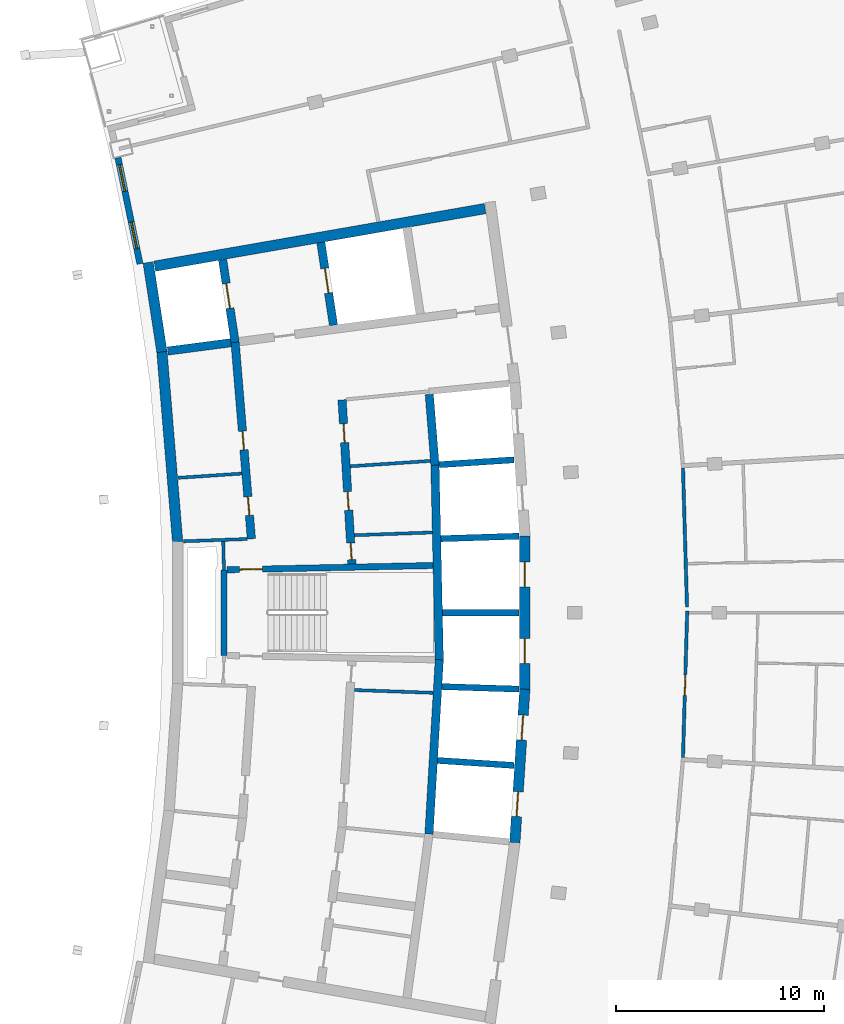
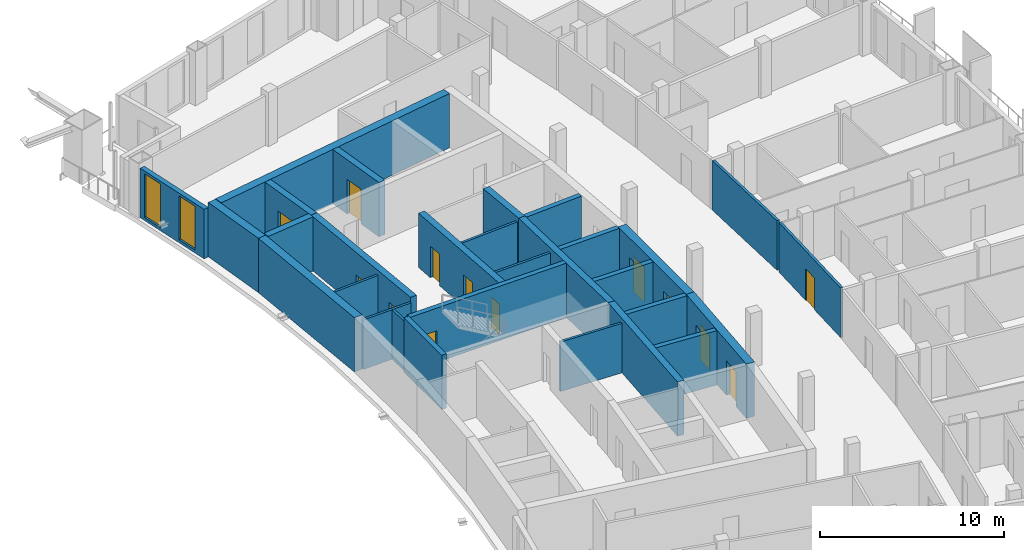
# One storey, part 10 of 20: 29 walls, 13 doors, 2 windows, 15 openings.
"""IFC4 building model written with IfcOpenShell, lengths in metres."""

from ifc_helpers import new_model, si_unit, direction, frame, frame_2d, origin, place, context, subcontext, project, spatial, rectangle, extrude, material, layer, layer_set, type_object, element, fill, save


model = new_model("IFC4")

# Units and contexts
model_context = context("Model", 3, precision=1e-05, world=origin(), true_north=direction((0.0, 1.0)))
body_context = subcontext(model_context, "Body", "Model", "MODEL_VIEW")
ifc_project = project(units=[si_unit("LENGTHUNIT", "METRE"), si_unit("AREAUNIT", "SQUARE_METRE"), si_unit("VOLUMEUNIT", "CUBIC_METRE"), si_unit("PLANEANGLEUNIT", "RADIAN"), si_unit("MASSUNIT", "GRAM", prefix="KILO")], contexts=[model_context])

# Site, building, storey
site_placement = place(None, origin())
site = spatial("IfcSite", under=ifc_project, at=site_placement, CompositionType="ELEMENT")
building_placement = place(site_placement, origin())
building = spatial("IfcBuilding", under=site, at=building_placement, Name="Alderwake Tower", CompositionType="ELEMENT")
storey_placement = place(building_placement, frame((0.0, 0.0, 263.60009765625)))
storey = spatial("IfcBuildingStorey", under=building, at=storey_placement, Name="L65", CompositionType="ELEMENT", Elevation=263.60009765625)

# Walls
ifc_material_1 = material(Name="Gypsum shaft wall system, rated")
ifc_layer_1 = layer(ifc_material_1, 0.14990234375)
ifc_layer_set_1 = layer_set([ifc_layer_1], Name="Core riser partition 150")
wall_type_1 = type_object("IfcWallType", Name="Core riser partition 150", PredefinedType="PARTITIONING", material=ifc_layer_set_1)
wall_1_placement = place(storey_placement, frame((25.1904296875, 57.276611328125, 0.0), z_axis=(0.0, 0.0, 1.0), x_axis=(0.999373547283, -0.03539086028, 0.0)))
element("IfcWall", 1, at=wall_1_placement, inside=storey, type_object=wall_type_1, Name="CW/L65/PR-37_+86", PredefinedType="PARTITIONING", context=body_context, shape_type="SweptSolid", body=[
    extrude(rectangle(XDim=3.794189453125, YDim=0.14990234375, at=frame_2d((1.89697265625, 0.0))), origin(), (0.0, 0.0, 1.0), 3.27978515625),
])
wall_2_placement = place(storey_placement, frame((25.191162109375, 64.723388671875, 0.0), z_axis=(0.0, 0.0, 1.0), x_axis=(0.999373256208, 0.035399078746, 0.0)))
element("IfcWall", 2, at=wall_2_placement, inside=storey, type_object=wall_type_1, Name="CW/L65/PR+37_+86", PredefinedType="PARTITIONING", context=body_context, shape_type="SweptSolid", body=[
    extrude(rectangle(XDim=3.751953125, YDim=0.14990234375, at=frame_2d((1.8759765625, 0.0))), origin(), (0.0, 0.0, 1.0), 3.27978515625),
])
ifc_material_2 = material(Name="Gypsum shaft wall system, rated")
ifc_layer_2 = layer(ifc_material_2, 0.14990234375)
ifc_layer_set_2 = layer_set([ifc_layer_2], Name="Core room partition 150")
wall_type_2 = type_object("IfcWallType", Name="Core room partition 150", PredefinedType="PARTITIONING", material=ifc_layer_set_2)
wall_3_placement = place(storey_placement, frame((18.918701171875, 63.05517578125, 0.0), z_axis=(0.0, 0.0, 1.0), x_axis=(-0.027791791559, 0.99961373356, 0.0)))
element("IfcWall", 3, at=wall_3_placement, inside=storey, type_object=wall_type_2, Name="CW/L65/PA+24_+22", PredefinedType="PARTITIONING", context=body_context, shape_type="SweptSolid", body=[
    extrude(rectangle(XDim=1.370361328125, YDim=0.14990234375, at=frame_2d((0.68505859375, 0.0))), origin(), (0.0, 0.0, 1.0), 3.27978515625),
])
wall_4_placement = place(storey_placement, frame((16.969482421875, 64.4326171875, 0.0), z_axis=(0.0, 0.0, 1.0), x_axis=(0.999376258731, 0.035314210814, 0.0)))
element("IfcWall", 4, at=wall_4_placement, inside=storey, type_object=wall_type_2, Name="CW/L65/PR+37_+0", PredefinedType="PARTITIONING", context=body_context, shape_type="SweptSolid", body=[
    extrude(rectangle(XDim=3.069580078125, YDim=0.14990234375, at=frame_2d((1.53466796875, 0.0))), origin(), (0.0, 0.0, 1.0), 3.27978515625),
])
wall_5_placement = place(storey_placement, frame((16.716552734375, 67.48388671875, 0.0), z_axis=(0.0, 0.0, 1.0), x_axis=(0.997761137574, 0.066878339895, 0.0)))
element("IfcWall", 5, at=wall_5_placement, inside=storey, type_object=wall_type_2, Name="CW/L65/PR+70_+0", PredefinedType="PARTITIONING", context=body_context, shape_type="SweptSolid", body=[
    extrude(rectangle(XDim=3.06640625, YDim=0.14990234375, at=frame_2d((1.533203125, 0.0))), origin(), (0.0, 0.0, 1.0), 3.27978515625),
])
wall_6_placement = place(storey_placement, frame((24.992431640625, 68.038818359375, 0.0), z_axis=(0.0, 0.0, 1.0), x_axis=(0.997760236964, 0.066891774789, 0.0)))
element("IfcWall", 6, at=wall_6_placement, inside=storey, type_object=wall_type_2, Name="CW/L65/PR+70_+86", PredefinedType="PARTITIONING", context=body_context, shape_type="SweptSolid", body=[
    extrude(rectangle(XDim=3.86865234375, YDim=0.14990234375, at=frame_2d((1.934326171875, 0.0))), origin(), (0.0, 0.0, 1.0), 3.27978515625),
])
ifc_material_3 = material(Name="Concrete C70/85", Category="concrete")
ifc_layer_3 = layer(ifc_material_3, 0.5)
ifc_layer_set_3 = layer_set([ifc_layer_3], Name="Core wall outer 500 C70-85")
wall_type_3 = type_object("IfcWallType", Name="Core wall outer 500 C70-85", PredefinedType="SHEAR", material=ifc_layer_set_3)
wall_7_placement = place(storey_placement, frame((16.690185546875, 64.41162109375, 0.0), z_axis=(0.0, 0.0, 1.0), x_axis=(-0.082611702064, 0.996581811334, 0.0)))
element("IfcWall", 7, at=wall_7_placement, inside=storey, type_object=wall_type_3, Name="Core wall CW.026", PredefinedType="SHEAR", context=body_context, shape_type="SweptSolid", body=[
    extrude(rectangle(XDim=9.176025390625, YDim=0.5, at=frame_2d((4.587890625, 0.0))), origin(), (0.0, 0.0, 1.0), 3.599853515625),
])
wall_8_placement = place(storey_placement, frame((15.934326171875, 73.5380859375, 0.0), z_axis=(0.0, 0.0, 1.0), x_axis=(-0.151947718368, 0.988388532351, 0.0)))
element("IfcWall", 8, at=wall_8_placement, inside=storey, type_object=wall_type_3, Name="Core wall CW.025", PredefinedType="SHEAR", context=body_context, shape_type="SweptSolid", body=[
    extrude(rectangle(XDim=4.357421875, YDim=0.5, at=frame_2d((2.1787109375, 0.0))), origin(), (0.0, 0.0, 1.0), 3.599853515625),
])

# Wall, openings, doors
wall_9_placement = place(storey_placement, frame((32.91015625, 49.942138671875, 0.0), z_axis=(0.0, 0.0, 1.0), x_axis=(0.064980500916, 0.997886533881, 0.0)))
wall_9 = element("IfcWall", 9, at=wall_9_placement, inside=storey, type_object=wall_type_3, Name="Core wall CW.021", PredefinedType="SHEAR", context=body_context, shape_type="SweptSolid", body=[
    extrude(rectangle(XDim=7.39404296875, YDim=0.5, at=frame_2d((3.697021484375, 0.0))), origin(), (0.0, 0.0, 1.0), 3.599853515625),
])
opening_1_placement = place(wall_9_placement, frame((1.253173828125, 0.0, 0.0)))
opening_1 = element("IfcOpeningElement", 10, at=opening_1_placement, cuts=wall_9, Name="Opening LD-HP1", PredefinedType="OPENING", context=body_context, shape_type="SweptSolid", body=[
    extrude(rectangle(XDim=1.199951171875, YDim=2.300048828125, at=frame_2d((0.60009765625, 1.14990234375))), frame((0.0, 0.260009765625, 0.0), z_axis=(0.0, -1.0, 0.0), x_axis=(1.0, 0.0, 0.0)), (0.0, 0.0, 1.0), 0.52001953125),
])
opening_2_placement = place(wall_9_placement, frame((4.941650390625, 0.0, 0.0)))
opening_2 = element("IfcOpeningElement", 11, at=opening_2_placement, cuts=wall_9, Name="Opening LD-HP2", PredefinedType="OPENING", context=body_context, shape_type="SweptSolid", body=[
    extrude(rectangle(XDim=1.199951171875, YDim=2.300048828125, at=frame_2d((0.60009765625, 1.14990234375))), frame((0.0, 0.260009765625, 0.0), z_axis=(0.0, -1.0, 0.0), x_axis=(1.0, 0.0, 0.0)), (0.0, 0.0, 1.0), 0.52001953125),
])
ifc_material_4 = material(Name="Stainless steel sliding leaf", Category="steel")
door_type_1 = type_object("IfcDoorType", Name="Lift landing door 1200", OperationType="SLIDING_TO_LEFT", PredefinedType="DOOR", material=ifc_material_4)
door_1_placement = place(opening_1_placement, origin())
door_1 = element("IfcDoor", 12, at=door_1_placement, inside=storey, type_object=door_type_1, Name="Lift landing door HP1", OperationType="SLIDING_TO_LEFT", OverallHeight=2.300048828125, OverallWidth=1.199951171875, PredefinedType="DOOR", context=body_context, shape_type="SweptSolid", body=[
    extrude(rectangle(XDim=1.199951171875, YDim=2.300048828125, at=frame_2d((0.60009765625, 1.14990234375))), frame((0.0, 0.02490234375, 0.0), z_axis=(0.0, -1.0, 0.0), x_axis=(1.0, 0.0, 0.0)), (0.0, 0.0, 1.0), 0.050048828125),
])
fill(opening_1, door_1)
door_2_placement = place(opening_2_placement, origin())
door_2 = element("IfcDoor", 13, at=door_2_placement, inside=storey, type_object=door_type_1, Name="Lift landing door HP2", OperationType="SLIDING_TO_LEFT", OverallHeight=2.300048828125, OverallWidth=1.199951171875, PredefinedType="DOOR", context=body_context, shape_type="SweptSolid", body=[
    extrude(rectangle(XDim=1.199951171875, YDim=2.300048828125, at=frame_2d((0.60009765625, 1.14990234375))), frame((0.0, 0.02490234375, 0.0), z_axis=(0.0, -1.0, 0.0), x_axis=(1.0, 0.0, 0.0)), (0.0, 0.0, 1.0), 0.050048828125),
])
fill(opening_2, door_2)

wall_10_placement = place(storey_placement, frame((33.389892578125, 57.30322265625, 0.0), z_axis=(0.0, 0.0, 1.0), x_axis=(0.0, 1.0, 0.0)))
wall_10 = element("IfcWall", 14, at=wall_10_placement, inside=storey, type_object=wall_type_3, Name="Core wall CW.023", PredefinedType="SHEAR", context=body_context, shape_type="SweptSolid", body=[
    extrude(rectangle(XDim=7.3935546875, YDim=0.5, at=frame_2d((3.69677734375, 0.0))), origin(), (0.0, 0.0, 1.0), 3.599853515625),
])
opening_3_placement = place(wall_10_placement, frame((1.25244140625, 0.0, 0.0)))
opening_3 = element("IfcOpeningElement", 15, at=opening_3_placement, cuts=wall_10, Name="Opening LD-HP3", PredefinedType="OPENING", context=body_context, shape_type="SweptSolid", body=[
    extrude(rectangle(XDim=1.199951171875, YDim=2.300048828125, at=frame_2d((0.60009765625, 1.14990234375))), frame((0.0, 0.260009765625, 0.0), z_axis=(0.0, -1.0, 0.0), x_axis=(1.0, 0.0, 0.0)), (0.0, 0.0, 1.0), 0.52001953125),
])
opening_4_placement = place(wall_10_placement, frame((4.94091796875, 0.0, 0.0)))
opening_4 = element("IfcOpeningElement", 16, at=opening_4_placement, cuts=wall_10, Name="Opening LD-HP4", PredefinedType="OPENING", context=body_context, shape_type="SweptSolid", body=[
    extrude(rectangle(XDim=1.199951171875, YDim=2.300048828125, at=frame_2d((0.60009765625, 1.14990234375))), frame((0.0, 0.260009765625, 0.0), z_axis=(0.0, -1.0, 0.0), x_axis=(1.0, 0.0, 0.0)), (0.0, 0.0, 1.0), 0.52001953125),
])
door_3_placement = place(opening_3_placement, origin())
door_3 = element("IfcDoor", 17, at=door_3_placement, inside=storey, type_object=door_type_1, Name="Lift landing door HP3", OperationType="SLIDING_TO_LEFT", OverallHeight=2.300048828125, OverallWidth=1.199951171875, PredefinedType="DOOR", context=body_context, shape_type="SweptSolid", body=[
    extrude(rectangle(XDim=1.199951171875, YDim=2.300048828125, at=frame_2d((0.60009765625, 1.14990234375))), frame((0.0, 0.02490234375, 0.0), z_axis=(0.0, -1.0, 0.0), x_axis=(1.0, 0.0, 0.0)), (0.0, 0.0, 1.0), 0.050048828125),
])
fill(opening_3, door_3)
door_4_placement = place(opening_4_placement, origin())
door_4 = element("IfcDoor", 18, at=door_4_placement, inside=storey, type_object=door_type_1, Name="Lift landing door HP4", OperationType="SLIDING_TO_LEFT", OverallHeight=2.300048828125, OverallWidth=1.199951171875, PredefinedType="DOOR", context=body_context, shape_type="SweptSolid", body=[
    extrude(rectangle(XDim=1.199951171875, YDim=2.300048828125, at=frame_2d((0.60009765625, 1.14990234375))), frame((0.0, 0.02490234375, 0.0), z_axis=(0.0, -1.0, 0.0), x_axis=(1.0, 0.0, 0.0)), (0.0, 0.0, 1.0), 0.050048828125),
])
fill(opening_4, door_4)

# Walls
wall_11_placement = place(storey_placement, frame((15.583251953125, 77.664306640625, 0.0), z_axis=(0.0, 0.0, 1.0), x_axis=(0.985139146221, 0.171758151429, 0.0)))
element("IfcWall", 19, at=wall_11_placement, inside=storey, type_object=wall_type_3, Name="Core wall CW.055", PredefinedType="SHEAR", context=body_context, shape_type="SweptSolid", body=[
    extrude(rectangle(XDim=16.134521484375, YDim=0.5, at=frame_2d((8.0673828125, 0.0))), origin(), (0.0, 0.0, 1.0), 3.599853515625),
])
ifc_material_5 = material(Name="Concrete C70/85", Category="concrete")
ifc_layer_4 = layer(ifc_material_5, 0.300048828125)
ifc_layer_set_4 = layer_set([ifc_layer_4], Name="Core wall shaft 300 C70-85")
wall_type_4 = type_object("IfcWallType", Name="Core wall shaft 300 C70-85", PredefinedType="SHEAR", material=ifc_layer_set_4)
wall_12_placement = place(storey_placement, frame((29.190185546875, 53.8896484375, 0.0), z_axis=(0.0, 0.0, 1.0), x_axis=(0.997885615286, -0.06499460597, 0.0)))
element("IfcWall", 20, at=wall_12_placement, inside=storey, type_object=wall_type_4, Name="Core wall CW.078", PredefinedType="SHEAR", context=body_context, shape_type="SweptSolid", body=[
    extrude(rectangle(XDim=3.688720703125, YDim=0.300048828125, at=frame_2d((1.84423828125, 0.0))), origin(), (0.0, 0.0, 1.0), 3.599853515625),
])
wall_13_placement = place(storey_placement, frame((29.400634765625, 57.441650390625, 0.0), z_axis=(0.0, 0.0, 1.0), x_axis=(0.999471876479, -0.032495663221, 0.0)))
element("IfcWall", 21, at=wall_13_placement, inside=storey, type_object=wall_type_4, Name="Core wall CW.075", PredefinedType="SHEAR", context=body_context, shape_type="SweptSolid", body=[
    extrude(rectangle(XDim=3.71142578125, YDim=0.300048828125, at=frame_2d((1.855712890625, 0.0))), origin(), (0.0, 0.0, 1.0), 3.599853515625),
])
wall_14_placement = place(storey_placement, frame((29.426025390625, 61.0, 0.0), z_axis=(0.0, 0.0, 1.0), x_axis=(1.0, 0.0, 0.0)))
element("IfcWall", 22, at=wall_14_placement, inside=storey, type_object=wall_type_4, Name="Core wall CW.048", PredefinedType="SHEAR", context=body_context, shape_type="SweptSolid", body=[
    extrude(rectangle(XDim=3.68408203125, YDim=0.300048828125, at=frame_2d((1.842041015625, 0.0))), origin(), (0.0, 0.0, 1.0), 3.599853515625),
])
wall_15_placement = place(storey_placement, frame((29.347412109375, 64.556396484375, 0.0), z_axis=(0.0, 0.0, 1.0), x_axis=(0.99946995342, 0.032554757112, 0.0)))
element("IfcWall", 23, at=wall_15_placement, inside=storey, type_object=wall_type_4, Name="Core wall CW.058", PredefinedType="SHEAR", context=body_context, shape_type="SweptSolid", body=[
    extrude(rectangle(XDim=3.7646484375, YDim=0.300048828125, at=frame_2d((1.88232421875, 0.0))), origin(), (0.0, 0.0, 1.0), 3.599853515625),
])
wall_16_placement = place(storey_placement, frame((29.268798828125, 68.115478515625, 0.0), z_axis=(0.0, 0.0, 1.0), x_axis=(0.997885735437, 0.064992761217, 0.0)))
element("IfcWall", 24, at=wall_16_placement, inside=storey, type_object=wall_type_4, Name="Core wall CW.061", PredefinedType="SHEAR", context=body_context, shape_type="SweptSolid", body=[
    extrude(rectangle(XDim=3.60986328125, YDim=0.300048828125, at=frame_2d((1.804931640625, 0.0))), origin(), (0.0, 0.0, 1.0), 3.599853515625),
])

# Wall, openings, doors
ifc_material_6 = material(Name="Concrete C70/85", Category="concrete")
ifc_layer_5 = layer(ifc_material_6, 0.39990234375)
ifc_layer_set_5 = layer_set([ifc_layer_5], Name="Core wall spine 400 C70-85")
wall_type_5 = type_object("IfcWallType", Name="Core wall spine 400 C70-85", PredefinedType="SHEAR", material=ifc_layer_set_5)
wall_17_placement = place(storey_placement, frame((19.452392578125, 74.014892578125, 0.0), z_axis=(0.0, 0.0, 1.0), x_axis=(0.082628585297, -0.996580411654, 0.0)))
wall_17 = element("IfcWall", 25, at=wall_17_placement, inside=storey, type_object=wall_type_5, Name="Core wall CW.031", PredefinedType="SHEAR", context=body_context, shape_type="SweptSolid", body=[
    extrude(rectangle(XDim=9.499267578125, YDim=0.39990234375, at=frame_2d((4.74951171875, 0.0))), origin(), (0.0, 0.0, 1.0), 3.599853515625),
])
opening_5_placement = place(wall_17_placement, frame((7.468017578125, 0.0, 0.0)))
opening_5 = element("IfcOpeningElement", 26, at=opening_5_placement, cuts=wall_17, Name="Opening C053", PredefinedType="OPENING", context=body_context, shape_type="SweptSolid", body=[
    extrude(rectangle(XDim=0.89990234375, YDim=2.10009765625, at=frame_2d((0.449951171875, 1.050048828125))), frame((0.0, 0.2099609375, 0.0), z_axis=(0.0, -1.0, 0.0), x_axis=(1.0, 0.0, 0.0)), (0.0, 0.0, 1.0), 0.419921875),
])
opening_6_placement = place(wall_17_placement, frame((4.30322265625, 0.0, 0.0)))
opening_6 = element("IfcOpeningElement", 27, at=opening_6_placement, cuts=wall_17, Name="Opening C054", PredefinedType="OPENING", context=body_context, shape_type="SweptSolid", body=[
    extrude(rectangle(XDim=0.89990234375, YDim=2.10009765625, at=frame_2d((0.449951171875, 1.050048828125))), frame((0.0, 0.2099609375, 0.0), z_axis=(0.0, -1.0, 0.0), x_axis=(1.0, 0.0, 0.0)), (0.0, 0.0, 1.0), 0.419921875),
])
ifc_material_7 = material(Name="Painted steel leaf", Category="steel")
door_type_2 = type_object("IfcDoorType", Name="Core room door 900", OperationType="SINGLE_SWING_LEFT", PredefinedType="DOOR", material=ifc_material_7)
door_5_placement = place(opening_5_placement, origin())
door_5 = element("IfcDoor", 28, at=door_5_placement, inside=storey, type_object=door_type_2, Name="Room door", OperationType="SINGLE_SWING_LEFT", OverallHeight=2.10009765625, OverallWidth=0.89990234375, PredefinedType="DOOR", context=body_context, shape_type="SweptSolid", body=[
    extrude(rectangle(XDim=0.89990234375, YDim=2.10009765625, at=frame_2d((0.449951171875, 1.050048828125))), frame((0.0, 0.02490234375, 0.0), z_axis=(0.0, -1.0, 0.0), x_axis=(1.0, 0.0, 0.0)), (0.0, 0.0, 1.0), 0.050048828125),
])
fill(opening_5, door_5)
door_6_placement = place(opening_6_placement, origin())
door_6 = element("IfcDoor", 29, at=door_6_placement, inside=storey, type_object=door_type_2, Name="Room door", OperationType="SINGLE_SWING_RIGHT", OverallHeight=2.10009765625, OverallWidth=0.89990234375, PredefinedType="DOOR", context=body_context, shape_type="SweptSolid", body=[
    extrude(rectangle(XDim=0.89990234375, YDim=2.10009765625, at=frame_2d((0.449951171875, 1.050048828125))), frame((0.0, 0.02490234375, 0.0), z_axis=(0.0, -1.0, 0.0), x_axis=(1.0, 0.0, 0.0)), (0.0, 0.0, 1.0), 0.050048828125),
])
fill(opening_6, door_6)

# Wall, opening, door
wall_18_placement = place(storey_placement, frame((19.4541015625, 74.00048828125, 0.0), z_axis=(0.0, 0.0, 1.0), x_axis=(-0.149461330246, 0.988767571657, 0.0)))
wall_18 = element("IfcWall", 30, at=wall_18_placement, inside=storey, type_object=wall_type_5, Name="Core wall CW.030", PredefinedType="SHEAR", context=body_context, shape_type="SweptSolid", body=[
    extrude(rectangle(XDim=4.01513671875, YDim=0.39990234375, at=frame_2d((2.007568359375, 0.0))), origin(), (0.0, 0.0, 1.0), 3.599853515625),
])
opening_7_placement = place(wall_18_placement, frame((1.6611328125, 0.0, 0.0)))
opening_7 = element("IfcOpeningElement", 31, at=opening_7_placement, cuts=wall_18, Name="Opening LD-FF1", PredefinedType="OPENING", context=body_context, shape_type="SweptSolid", body=[
    extrude(rectangle(XDim=1.199951171875, YDim=2.300048828125, at=frame_2d((0.60009765625, 1.14990234375))), frame((0.0, 0.2099609375, 0.0), z_axis=(0.0, -1.0, 0.0), x_axis=(1.0, 0.0, 0.0)), (0.0, 0.0, 1.0), 0.419921875),
])
door_7_placement = place(opening_7_placement, origin())
door_7 = element("IfcDoor", 32, at=door_7_placement, inside=storey, type_object=door_type_1, Name="Lift landing door FF1", OperationType="SLIDING_TO_LEFT", OverallHeight=2.300048828125, OverallWidth=1.199951171875, PredefinedType="DOOR", context=body_context, shape_type="SweptSolid", body=[
    extrude(rectangle(XDim=1.199951171875, YDim=2.300048828125, at=frame_2d((0.60009765625, 1.14990234375))), frame((0.0, 0.02490234375, 0.0), z_axis=(0.0, -1.0, 0.0), x_axis=(1.0, 0.0, 0.0)), (0.0, 0.0, 1.0), 0.050048828125),
])
fill(opening_7, door_7)

# Wall, openings, doors
wall_19_placement = place(storey_placement, frame((25.073974609375, 63.335693359375, 0.0), z_axis=(0.0, 0.0, 1.0), x_axis=(-0.059848641072, 0.998207463487, 0.0)))
wall_19 = element("IfcWall", 33, at=wall_19_placement, inside=storey, type_object=wall_type_5, Name="Core wall CW.045", PredefinedType="SHEAR", context=body_context, shape_type="SweptSolid", body=[
    extrude(rectangle(XDim=7.913818359375, YDim=0.39990234375, at=frame_2d((3.95703125, 0.0))), origin(), (0.0, 0.0, 1.0), 3.599853515625),
])
opening_8_placement = place(wall_19_placement, frame((0.216064453125, 0.0, 0.0)))
opening_8 = element("IfcOpeningElement", 34, at=opening_8_placement, cuts=wall_19, Name="Opening C005", PredefinedType="OPENING", context=body_context, shape_type="SweptSolid", body=[
    extrude(rectangle(XDim=0.800048828125, YDim=2.0, at=frame_2d((0.39990234375, 1.0))), frame((0.0, 0.2099609375, 0.0), z_axis=(0.0, -1.0, 0.0), x_axis=(1.0, 0.0, 0.0)), (0.0, 0.0, 1.0), 0.419921875),
])
opening_9_placement = place(wall_19_placement, frame((5.856201171875, 0.0, 0.0)))
opening_9 = element("IfcOpeningElement", 35, at=opening_9_placement, cuts=wall_19, Name="Opening C023", PredefinedType="OPENING", context=body_context, shape_type="SweptSolid", body=[
    extrude(rectangle(XDim=0.89990234375, YDim=2.10009765625, at=frame_2d((0.449951171875, 1.050048828125))), frame((0.0, 0.2099609375, 0.0), z_axis=(0.0, -1.0, 0.0), x_axis=(1.0, 0.0, 0.0)), (0.0, 0.0, 1.0), 0.419921875),
])
opening_10_placement = place(wall_19_placement, frame((2.590087890625, 0.0, 0.0)))
opening_10 = element("IfcOpeningElement", 36, at=opening_10_placement, cuts=wall_19, Name="Opening C059", PredefinedType="OPENING", context=body_context, shape_type="SweptSolid", body=[
    extrude(rectangle(XDim=0.89990234375, YDim=2.10009765625, at=frame_2d((0.449951171875, 1.050048828125))), frame((0.0, 0.2099609375, 0.0), z_axis=(0.0, -1.0, 0.0), x_axis=(1.0, 0.0, 0.0)), (0.0, 0.0, 1.0), 0.419921875),
])
door_8_placement = place(opening_9_placement, origin())
door_8 = element("IfcDoor", 37, at=door_8_placement, inside=storey, type_object=door_type_2, Name="Room door", OperationType="SINGLE_SWING_RIGHT", OverallHeight=2.10009765625, OverallWidth=0.89990234375, PredefinedType="DOOR", context=body_context, shape_type="SweptSolid", body=[
    extrude(rectangle(XDim=0.89990234375, YDim=2.10009765625, at=frame_2d((0.449951171875, 1.050048828125))), frame((0.0, 0.02490234375, 0.0), z_axis=(0.0, -1.0, 0.0), x_axis=(1.0, 0.0, 0.0)), (0.0, 0.0, 1.0), 0.050048828125),
])
fill(opening_9, door_8)
door_9_placement = place(opening_10_placement, origin())
door_9 = element("IfcDoor", 38, at=door_9_placement, inside=storey, type_object=door_type_2, Name="Room door", OperationType="SINGLE_SWING_LEFT", OverallHeight=2.10009765625, OverallWidth=0.89990234375, PredefinedType="DOOR", context=body_context, shape_type="SweptSolid", body=[
    extrude(rectangle(XDim=0.89990234375, YDim=2.10009765625, at=frame_2d((0.449951171875, 1.050048828125))), frame((0.0, 0.02490234375, 0.0), z_axis=(0.0, -1.0, 0.0), x_axis=(1.0, 0.0, 0.0)), (0.0, 0.0, 1.0), 0.050048828125),
])
fill(opening_10, door_9)
ifc_material_8 = material(Name="Painted steel leaf, rated", Category="steel")
door_type_3 = type_object("IfcDoorType", Name="Riser access door 800", OperationType="SINGLE_SWING_LEFT", PredefinedType="DOOR", material=ifc_material_8)
door_10_placement = place(opening_8_placement, origin())
door_10 = element("IfcDoor", 39, at=door_10_placement, inside=storey, type_object=door_type_3, Name="Riser access door", OperationType="SINGLE_SWING_LEFT", OverallHeight=2.0, OverallWidth=0.800048828125, PredefinedType="DOOR", context=body_context, shape_type="SweptSolid", body=[
    extrude(rectangle(XDim=0.800048828125, YDim=2.0, at=frame_2d((0.39990234375, 1.0))), frame((0.0, 0.02490234375, 0.0), z_axis=(0.0, -1.0, 0.0), x_axis=(1.0, 0.0, 0.0)), (0.0, 0.0, 1.0), 0.050048828125),
])
fill(opening_8, door_10)

# Wall, opening, door
wall_20_placement = place(storey_placement, frame((24.186279296875, 74.82861328125, 0.0), z_axis=(0.0, 0.0, 1.0), x_axis=(-0.150547717109, 0.988602743711, 0.0)))
wall_20 = element("IfcWall", 40, at=wall_20_placement, inside=storey, type_object=wall_type_5, Name="Core wall CW.044", PredefinedType="SHEAR", context=body_context, shape_type="SweptSolid", body=[
    extrude(rectangle(XDim=4.0234375, YDim=0.39990234375, at=frame_2d((2.01171875, 0.0))), origin(), (0.0, 0.0, 1.0), 3.599853515625),
])
opening_11_placement = place(wall_20_placement, frame((1.561767578125, 0.0, 0.0)))
opening_11 = element("IfcOpeningElement", 41, at=opening_11_placement, cuts=wall_20, Name="Opening LD-FF2", PredefinedType="OPENING", context=body_context, shape_type="SweptSolid", body=[
    extrude(rectangle(XDim=1.199951171875, YDim=2.300048828125, at=frame_2d((0.60009765625, 1.14990234375))), frame((0.0, 0.2099609375, 0.0), z_axis=(0.0, -1.0, 0.0), x_axis=(1.0, 0.0, 0.0)), (0.0, 0.0, 1.0), 0.419921875),
])
door_11_placement = place(opening_11_placement, origin())
door_11 = element("IfcDoor", 42, at=door_11_placement, inside=storey, type_object=door_type_1, Name="Lift landing door FF2", OperationType="SLIDING_TO_LEFT", OverallHeight=2.300048828125, OverallWidth=1.199951171875, PredefinedType="DOOR", context=body_context, shape_type="SweptSolid", body=[
    extrude(rectangle(XDim=1.199951171875, YDim=2.300048828125, at=frame_2d((0.60009765625, 1.14990234375))), frame((0.0, 0.02490234375, 0.0), z_axis=(0.0, -1.0, 0.0), x_axis=(1.0, 0.0, 0.0)), (0.0, 0.0, 1.0), 0.050048828125),
])
fill(opening_11, door_11)

# Walls
wall_21_placement = place(storey_placement, frame((28.780029296875, 50.34765625, 0.0), z_axis=(0.0, 0.0, 1.0), x_axis=(0.05912910263, 0.998250343963, 0.0)))
element("IfcWall", 43, at=wall_21_placement, inside=storey, type_object=wall_type_5, Name="Core wall CW.004", PredefinedType="SHEAR", context=body_context, shape_type="SweptSolid", body=[
    extrude(rectangle(XDim=8.40234375, YDim=0.39990234375, at=frame_2d((4.201171875, 0.0))), origin(), (0.0, 0.0, 1.0), 3.599853515625),
])
wall_22_placement = place(storey_placement, frame((29.276611328125, 58.71826171875, 0.0), z_axis=(0.0, 0.0, 1.0), x_axis=(-0.022119171053, 0.999755341207, 0.0)))
element("IfcWall", 44, at=wall_22_placement, inside=storey, type_object=wall_type_5, Name="Core wall CW.007", PredefinedType="SHEAR", context=body_context, shape_type="SweptSolid", body=[
    extrude(rectangle(XDim=9.392822265625, YDim=0.39990234375, at=frame_2d((4.6962890625, 0.0))), origin(), (0.0, 0.0, 1.0), 3.599853515625),
])
wall_23_placement = place(storey_placement, frame((29.069580078125, 68.09619140625, 0.0), z_axis=(0.0, 0.0, 1.0), x_axis=(-0.080544811251, 0.996750988653, 0.0)))
element("IfcWall", 45, at=wall_23_placement, inside=storey, type_object=wall_type_5, Name="Core wall CW.003", PredefinedType="SHEAR", context=body_context, shape_type="SweptSolid", body=[
    extrude(rectangle(XDim=3.409912109375, YDim=0.39990234375, at=frame_2d((1.705078125, 0.0))), origin(), (0.0, 0.0, 1.0), 3.599853515625),
])
wall_24_placement = place(storey_placement, frame((16.210693359375, 73.583740234375, 0.0), z_axis=(0.0, 0.0, 1.0), x_axis=(0.991560893257, 0.129641794819, 0.0)))
element("IfcWall", 46, at=wall_24_placement, inside=storey, type_object=wall_type_5, Name="Core wall CW.051", PredefinedType="SHEAR", context=body_context, shape_type="SweptSolid", body=[
    extrude(rectangle(XDim=3.069580078125, YDim=0.39990234375, at=frame_2d((1.53466796875, 0.0))), origin(), (0.0, 0.0, 1.0), 3.599853515625),
])
ifc_material_9 = material(Name="Concrete C70/85", Category="concrete")
ifc_layer_6 = layer(ifc_material_9, 0.300048828125)
ifc_layer_set_6 = layer_set([ifc_layer_6], Name="Core wall stair enclosure 300 C70-85")
wall_type_6 = type_object("IfcWallType", Name="Core wall stair enclosure 300 C70-85", PredefinedType="SHEAR", material=ifc_layer_set_6)
wall_25_placement = place(storey_placement, frame((18.918701171875, 58.940673828125, 0.0), z_axis=(0.0, 0.0, 1.0), x_axis=(0.0, 1.0, 0.0)))
element("IfcWall", 47, at=wall_25_placement, inside=storey, type_object=wall_type_6, Name="Core wall CW.024", PredefinedType="SHEAR", context=body_context, shape_type="SweptSolid", body=[
    extrude(rectangle(XDim=4.11962890625, YDim=0.300048828125, at=frame_2d((2.059814453125, 0.0))), origin(), (0.0, 0.0, 1.0), 3.599853515625),
])

# Wall, opening, door
wall_26_placement = place(storey_placement, frame((19.068603515625, 63.060791015625, 0.0), z_axis=(0.0, 0.0, 1.0), x_axis=(0.999783782948, 0.020793925895, 0.0)))
wall_26 = element("IfcWall", 48, at=wall_26_placement, inside=storey, type_object=wall_type_6, Name="Core wall CW.057", PredefinedType="SHEAR", context=body_context, shape_type="SweptSolid", body=[
    extrude(rectangle(XDim=9.909423828125, YDim=0.300048828125, at=frame_2d((4.95458984375, 0.0))), origin(), (0.0, 0.0, 1.0), 3.599853515625),
])
opening_12_placement = place(wall_26_placement, frame((0.60009765625, 0.0, 0.0)))
opening_12 = element("IfcOpeningElement", 49, at=opening_12_placement, cuts=wall_26, Name="Opening C064", PredefinedType="OPENING", context=body_context, shape_type="SweptSolid", body=[
    extrude(rectangle(XDim=1.10009765625, YDim=2.10009765625, at=frame_2d((0.550048828125, 1.050048828125))), frame((0.0, 0.159912109375, 0.0), z_axis=(0.0, -1.0, 0.0), x_axis=(1.0, 0.0, 0.0)), (0.0, 0.0, 1.0), 0.320068359375),
])
ifc_material_10 = material(Name="Steel-framed fire door leaf", Category="steel")
door_type_4 = type_object("IfcDoorType", Name="Core stair door 1100 fire-rated", OperationType="SINGLE_SWING_LEFT", PredefinedType="DOOR", material=ifc_material_10)
door_12_placement = place(opening_12_placement, origin())
door_12 = element("IfcDoor", 50, at=door_12_placement, inside=storey, type_object=door_type_4, Name="Stair door", OperationType="SINGLE_SWING_LEFT", OverallHeight=2.10009765625, OverallWidth=1.10009765625, PredefinedType="DOOR", context=body_context, shape_type="SweptSolid", body=[
    extrude(rectangle(XDim=1.10009765625, YDim=2.10009765625, at=frame_2d((0.550048828125, 1.050048828125))), frame((0.0, 0.02490234375, 0.0), z_axis=(0.0, -1.0, 0.0), x_axis=(1.0, 0.0, 0.0)), (0.0, 0.0, 1.0), 0.050048828125),
])
fill(opening_12, door_12)

ifc_material_11 = material(Name="Gypsum board on metal studs, rated")
ifc_layer_7 = layer(ifc_material_11, 0.159912109375)
ifc_layer_set_7 = layer_set([ifc_layer_7], Name="Corridor wall 160")
wall_type_7 = type_object("IfcWallType", Name="Corridor wall 160", PredefinedType="PARTITIONING", material=ifc_layer_set_7)
wall_27_placement = place(storey_placement, frame((41.201416015625, 61.0791015625, 0.0), z_axis=(0.0, 0.0, 1.0), x_axis=(-0.028889070526, -0.999582623701, 0.0)))
wall_27 = element("IfcWall", 51, at=wall_27_placement, inside=storey, type_object=wall_type_7, Name="WL/L65/W24", PredefinedType="PARTITIONING", context=body_context, shape_type="SweptSolid", body=[
    extrude(rectangle(XDim=7.048095703125, YDim=0.159912109375, at=frame_2d((3.52392578125, 0.0))), origin(), (0.0, 0.0, 1.0), 3.27978515625),
])
opening_13_placement = place(wall_27_placement, frame((3.0634765625, 0.0, 0.0)))
opening_13 = element("IfcOpeningElement", 52, at=opening_13_placement, cuts=wall_27, Name="Opening R18-U05.1", PredefinedType="OPENING", context=body_context, shape_type="SweptSolid", body=[
    extrude(rectangle(XDim=1.0, YDim=2.10009765625, at=frame_2d((0.5, 1.050048828125))), frame((0.0, 0.08984375, 0.0), z_axis=(0.0, -1.0, 0.0), x_axis=(1.0, 0.0, 0.0)), (0.0, 0.0, 1.0), 0.179931640625),
])
ifc_material_12 = material(Name="Solid timber leaf in steel frame", Category="steel")
door_type_5 = type_object("IfcDoorType", Name="Flat entrance door 1000 fire-rated", OperationType="SINGLE_SWING_LEFT", PredefinedType="DOOR", material=ifc_material_12)
door_13_placement = place(opening_13_placement, origin())
door_13 = element("IfcDoor", 53, at=door_13_placement, inside=storey, type_object=door_type_5, Name="DR/L65/U05.1", OperationType="SINGLE_SWING_LEFT", OverallHeight=2.10009765625, OverallWidth=1.0, PredefinedType="DOOR", context=body_context, shape_type="SweptSolid", body=[
    extrude(rectangle(XDim=1.0, YDim=2.10009765625, at=frame_2d((0.5, 1.050048828125))), frame((0.0, 0.02490234375, 0.0), z_axis=(0.0, -1.0, 0.0), x_axis=(1.0, 0.0, 0.0)), (0.0, 0.0, 1.0), 0.050048828125),
])
fill(opening_13, door_13)

# Wall
wall_28_placement = place(storey_placement, frame((40.997802734375, 67.967041015625, 0.0), z_axis=(0.0, 0.0, 1.0), x_axis=(0.0288778927, -0.99958294669, 0.0)))
element("IfcWall", 54, at=wall_28_placement, inside=storey, type_object=wall_type_7, Name="WL/L65/W26", PredefinedType="PARTITIONING", context=body_context, shape_type="SweptSolid", body=[
    extrude(rectangle(XDim=6.7041015625, YDim=0.159912109375, at=frame_2d((3.35205078125, 0.0))), origin(), (0.0, 0.0, 1.0), 3.27978515625),
])

# Wall, openings, windows
ifc_material_13 = material(Name="Precast concrete C50/60 spandrel panel", Category="concrete")
ifc_layer_8 = layer(ifc_material_13, 0.300048828125)
ifc_layer_set_8 = layer_set([ifc_layer_8], Name="External wall EW1 Precast concrete C50/60 spandrel")
wall_type_8 = type_object("IfcWallType", Name="External wall EW1 Precast concrete C50/60 spandrel", PredefinedType="SOLIDWALL", material=ifc_layer_set_8)
wall_29_placement = place(storey_placement, frame((13.821533203125, 82.879638671875, 0.0), z_axis=(0.0, 0.0, 1.0), x_axis=(0.202760516883, -0.979228355795, 0.0)))
wall_29 = element("IfcWall", 55, at=wall_29_placement, inside=storey, type_object=wall_type_8, Name="External wall 31", PredefinedType="SOLIDWALL", context=body_context, shape_type="SweptSolid", body=[
    extrude(rectangle(XDim=5.211181640625, YDim=0.300048828125, at=frame_2d((2.60546875, 0.0))), origin(), (0.0, 0.0, 1.0), 3.27978515625),
])
opening_14_placement = place(wall_29_placement, frame((0.342041015625, 0.0, 0.199951171875)))
opening_14 = element("IfcOpeningElement", 56, at=opening_14_placement, cuts=wall_29, Name="Opening W1", PredefinedType="OPENING", context=body_context, shape_type="SweptSolid", body=[
    extrude(rectangle(XDim=1.300048828125, YDim=2.89990234375, at=frame_2d((0.64990234375, 1.449951171875))), frame((0.0, 0.159912109375, 0.0), z_axis=(0.0, -1.0, 0.0), x_axis=(1.0, 0.0, 0.0)), (0.0, 0.0, 1.0), 0.320068359375),
])
opening_15_placement = place(wall_29_placement, frame((3.15478515625, 0.0, 0.199951171875)))
opening_15 = element("IfcOpeningElement", 57, at=opening_15_placement, cuts=wall_29, Name="Opening W1", PredefinedType="OPENING", context=body_context, shape_type="SweptSolid", body=[
    extrude(rectangle(XDim=1.300048828125, YDim=2.89990234375, at=frame_2d((0.64990234375, 1.449951171875))), frame((0.0, 0.159912109375, 0.0), z_axis=(0.0, -1.0, 0.0), x_axis=(1.0, 0.0, 0.0)), (0.0, 0.0, 1.0), 0.320068359375),
])
ifc_material_14 = material(Name="Bronze tinted glass in aluminium frame", Category="aluminium")
window_type = type_object("IfcWindowType", Name="Window W1 tall fixed and vent", PartitioningType="DOUBLE_PANEL_VERTICAL", PredefinedType="WINDOW", material=ifc_material_14)
window_1_placement = place(opening_14_placement, origin())
window_1 = element("IfcWindow", 58, at=window_1_placement, inside=storey, type_object=window_type, Name="Window W1 tall fixed and vent", OverallHeight=2.89990234375, OverallWidth=1.300048828125, PartitioningType="DOUBLE_PANEL_VERTICAL", PredefinedType="WINDOW", context=body_context, shape_type="SweptSolid", body=[
    extrude(rectangle(XDim=1.300048828125, YDim=2.89990234375, at=frame_2d((0.64990234375, 1.449951171875))), frame((0.0, 0.030029296875, 0.0), z_axis=(0.0, -1.0, 0.0), x_axis=(1.0, 0.0, 0.0)), (0.0, 0.0, 1.0), 0.06005859375),
])
fill(opening_14, window_1)
window_2_placement = place(opening_15_placement, origin())
window_2 = element("IfcWindow", 59, at=window_2_placement, inside=storey, type_object=window_type, Name="Window W1 tall fixed and vent", OverallHeight=2.89990234375, OverallWidth=1.300048828125, PartitioningType="DOUBLE_PANEL_VERTICAL", PredefinedType="WINDOW", context=body_context, shape_type="SweptSolid", body=[
    extrude(rectangle(XDim=1.300048828125, YDim=2.89990234375, at=frame_2d((0.64990234375, 1.449951171875))), frame((0.0, 0.030029296875, 0.0), z_axis=(0.0, -1.0, 0.0), x_axis=(1.0, 0.0, 0.0)), (0.0, 0.0, 1.0), 0.06005859375),
])
fill(opening_15, window_2)

save(model, "model.ifc")
